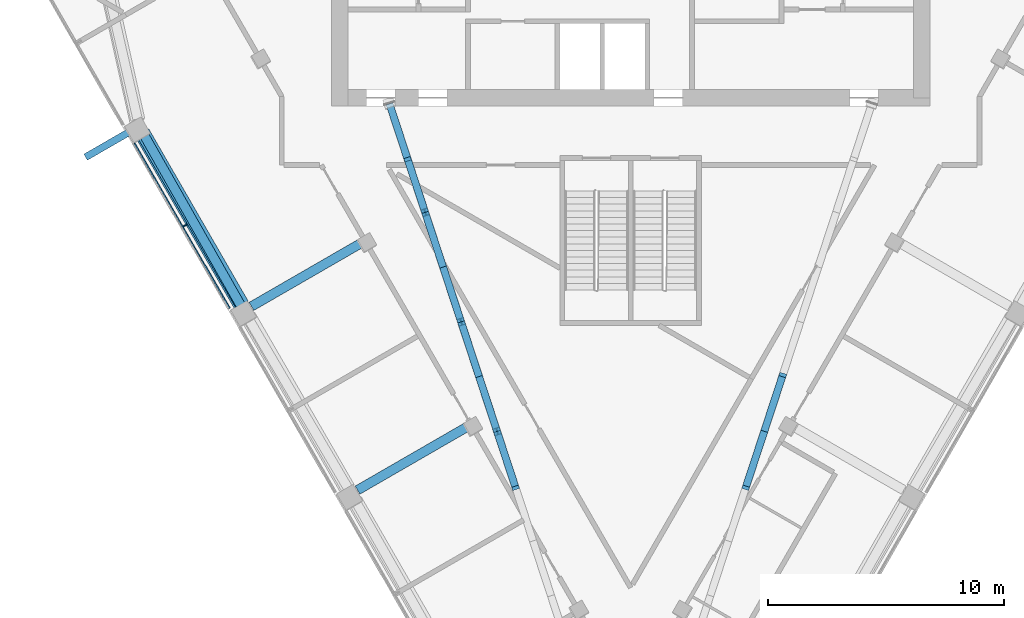
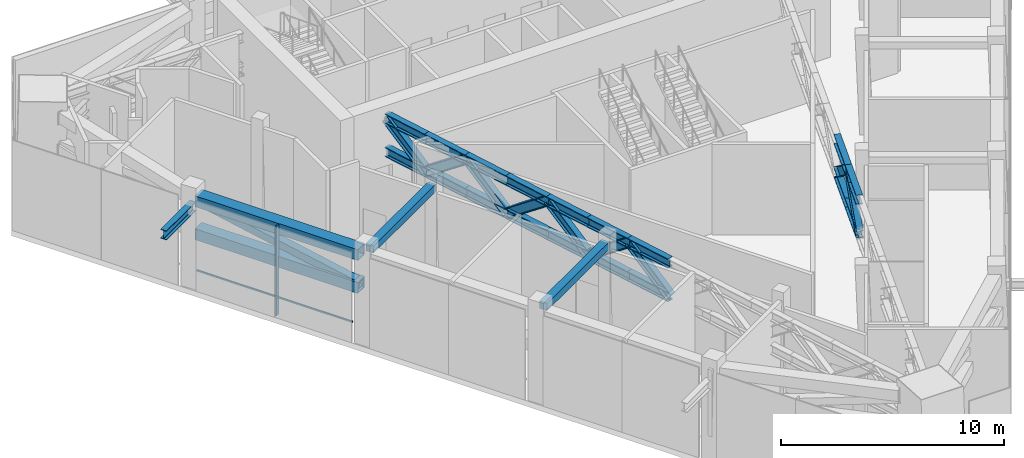
# One storey, part 3 of 14: 33 members, 2 beams, 1 element without a shape of its own.
"""IFC4 building model written with IfcOpenShell, lengths in metres."""

from ifc_helpers import new_model, si_unit, direction, frame, origin, origin_2d, place, context, subcontext, project, spatial, rectangle, hollow_rectangle, i_section, extrude, material, layer, layer_set, material_profile, profile_set, type_object, element, aggregate, save


model = new_model("IFC4")

# Units and contexts
model_context = context("Model", 3, precision=1e-05, world=origin(), true_north=direction((0.0, 1.0)))
body_context = subcontext(model_context, "Body", "Model", "MODEL_VIEW")
ifc_project = project(units=[si_unit("LENGTHUNIT", "METRE"), si_unit("AREAUNIT", "SQUARE_METRE"), si_unit("VOLUMEUNIT", "CUBIC_METRE"), si_unit("PLANEANGLEUNIT", "RADIAN"), si_unit("MASSUNIT", "GRAM", prefix="KILO")], contexts=[model_context])

# Site, building, storey
site_placement = place(None, origin())
site = spatial("IfcSite", under=ifc_project, at=site_placement, CompositionType="ELEMENT")
building_placement = place(site_placement, origin())
building = spatial("IfcBuilding", under=site, at=building_placement, Name="Altiplano Prism Tower", CompositionType="ELEMENT")
storey_placement = place(building_placement, frame((0.0, 0.0, 189.0)))
storey = spatial("IfcBuildingStorey", under=building, at=storey_placement, Name="L49", CompositionType="ELEMENT", Elevation=189.0)

# Members
ifc_material_1 = material(Name="Steel S355", Category="steel")
ifc_material_profile_1 = material_profile(ifc_material_1, hollow_rectangle(XDim=0.60009765625, YDim=0.60009765625, WallThickness=0.030029296875, at=origin_2d()), Name="Belt chord Box 600x600x30")
ifc_profile_set_1 = profile_set([ifc_material_profile_1], Name="Steel S355")
member_type_1 = type_object("IfcMemberType", Name="Belt chord Box 600x600x30", PredefinedType="CHORD", material=ifc_profile_set_1)
for number, where, z_axis, x_axis, name in (
    (1, (64.257080078125, 91.52001953125, 2.89990234375), (0.499993714791, -0.866029032521, 0.0), (0.866029032521, 0.499993714791, 0.0), "Belt truss R2 chord b6"),
    (2, (64.296142578125, 91.58740234375, 4.64990234375), (0.499993714791, -0.866029032521, 0.0), (0.866029032521, 0.499993714791, 0.0), "Belt truss R2 chord t6"),
):
    element("IfcMember", number, at=place(storey_placement, frame(where, z_axis=z_axis, x_axis=x_axis)), inside=storey, type_object=member_type_1, Name=name, PredefinedType="CHORD", context=body_context, shape_type="SweptSolid", body=[
        extrude(hollow_rectangle(XDim=0.60009765625, YDim=0.60009765625, WallThickness=0.030029296875, at=origin_2d()), origin(), (0.0, 0.0, 1.0), 8.43994140625),
    ])
ifc_material_profile_2 = material_profile(ifc_material_1, hollow_rectangle(XDim=0.39990234375, YDim=0.39990234375, WallThickness=0.02001953125, at=origin_2d()), Name="Belt diagonal Box 400x400x20")
ifc_profile_set_2 = profile_set([ifc_material_profile_2], Name="Steel S355")
member_type_2 = type_object("IfcMemberType", Name="Belt diagonal Box 400x400x20", PredefinedType="BRACE", material=ifc_profile_set_2)
member_1_placement = place(storey_placement, frame((64.294189453125, 91.58642578125, 4.595703125), z_axis=(0.484543905477, -0.853866939434, -0.190074862635), x_axis=(0.869722325715, 0.493541362149, 0.0)))
element("IfcMember", 3, at=member_1_placement, inside=storey, type_object=member_type_2, Name="Belt truss R2 diagonal 6", PredefinedType="BRACE", context=body_context, shape_type="SweptSolid", body=[
    extrude(hollow_rectangle(XDim=0.39990234375, YDim=0.39990234375, WallThickness=0.02001953125, at=origin_2d()), origin(), (0.0, 0.0, 1.0), 8.63671875),
])
ifc_material_profile_3 = material_profile(ifc_material_1, i_section(OverallWidth=0.300048828125, OverallDepth=0.5, WebThickness=0.014404296875, FlangeThickness=0.028076171875, FilletRadius=0.027099609375, at=origin_2d()), Name="Brace bracket HEB 500")
ifc_profile_set_3 = profile_set([ifc_material_profile_3], Name="Steel S355")
member_type_3 = type_object("IfcMemberType", Name="Brace bracket HEB 500", PredefinedType="STRUT", material=ifc_profile_set_3)
member_2_placement = place(storey_placement, frame((64.172607421875, 91.858642578125, 4.125732421875), z_axis=(-0.866029095148, -0.499993606316, 0.0), x_axis=(0.499993606316, -0.866029095148, 0.0)))
element("IfcMember", 4, at=member_2_placement, inside=storey, type_object=member_type_3, Name="Brace bracket 1.194.4", PredefinedType="STRUT", context=body_context, shape_type="SweptSolid", body=[
    extrude(i_section(OverallWidth=0.300048828125, OverallDepth=0.5, WebThickness=0.014404296875, FlangeThickness=0.028076171875, FilletRadius=0.027099609375, at=origin_2d()), origin(), (0.0, 0.0, 1.0), 2.64990234375),
])

# Curtain wall, members
ifc_material_2 = material(Name="Aluminium and glass", Category="aluminium")
ifc_layer = layer(ifc_material_2, 0.320068359375)
ifc_layer_set = layer_set([ifc_layer], Name="Aluminium and glass")
curtain_wall_type = type_object("IfcCurtainWallType", Name="CW6 louvred plant-floor curtain wall", PredefinedType="NOTDEFINED", material=ifc_layer_set)
curtain_wall_placement = place(storey_placement, origin())
curtain_wall = element("IfcCurtainWall", 5, at=curtain_wall_placement, inside=storey, type_object=curtain_wall_type, Name="CW6 curtain wall south-west face L49", PredefinedType="NOTDEFINED")
ifc_material_3 = material(Name="Aluminium", Category="aluminium")
ifc_material_profile_4 = material_profile(ifc_material_3, rectangle(XDim=0.199951171875, YDim=0.06005859375, at=origin_2d()), Name="CW6 mullion 60 x 200")
ifc_profile_set_4 = profile_set([ifc_material_profile_4], Name="Aluminium")
member_type_4 = type_object("IfcMemberType", Name="CW6 mullion 60 x 200", PredefinedType="MULLION", material=ifc_profile_set_4)
member_3_placement = place(storey_placement, frame((66.103515625, 87.638916015625, 0.0), z_axis=(0.0, 0.0, 1.0), x_axis=(0.866025397379, 0.500000011094, 0.0)))
member_3 = element("IfcMember", 6, at=member_3_placement, type_object=member_type_4, Name="CW6 mullion", PredefinedType="MULLION", context=body_context, shape_type="SweptSolid", body=[
    extrude(rectangle(XDim=0.199951171875, YDim=0.06005859375, at=origin_2d()), origin(), (0.0, 0.0, 1.0), 4.949951171875),
])
ifc_material_profile_5 = material_profile(ifc_material_3, rectangle(XDim=0.06005859375, YDim=0.080078125, at=origin_2d()), Name="CW6 transom 80 x 60")
ifc_profile_set_5 = profile_set([ifc_material_profile_5], Name="Aluminium")
member_type_5 = type_object("IfcMemberType", Name="CW6 transom 80 x 60", PredefinedType="USERDEFINED", material=ifc_profile_set_5)
member_4_placement = place(storey_placement, frame((63.94091796875, 91.12451171875, 1.10009765625), z_axis=(0.499999695987, -0.866025579307, 0.0), x_axis=(0.866025579307, 0.499999695987, 0.0)))
member_4 = element("IfcMember", 7, at=member_4_placement, type_object=member_type_5, Name="CW6 transom", ObjectType="TRANSOM", PredefinedType="USERDEFINED", context=body_context, shape_type="SweptSolid", body=[
    extrude(rectangle(XDim=0.06005859375, YDim=0.080078125, at=origin_2d()), origin(), (0.0, 0.0, 1.0), 8.080078125),
])
aggregate(curtain_wall, [member_3, member_4])

# Members
ifc_material_profile_6 = material_profile(ifc_material_1, i_section(OverallWidth=0.305908203125, OverallDepth=0.52392578125, WebThickness=0.02099609375, FlangeThickness=0.0400390625, FilletRadius=0.027099609375, at=origin_2d()), Name="Outrigger chord HEM 500")
ifc_profile_set_6 = profile_set([ifc_material_profile_6], Name="Steel S355")
member_type_6 = type_object("IfcMemberType", Name="Outrigger chord HEM 500", PredefinedType="CHORD", material=ifc_profile_set_6)
for number, where, z_axis, x_axis, name in (
    (8, (80.09619140625, 76.57763671875, 2.862060546875), (-0.312032305588, 0.950071492189, 0.0), (-0.950071492189, -0.312032305588, 0.0), "Outrigger truss R2 3 chord b7"),
    (9, (80.09619140625, 76.57763671875, 4.68798828125), (-0.312032305588, 0.950071492189, 0.0), (-0.950071492189, -0.312032305588, 0.0), "Outrigger truss R2 3 chord t7"),
    (10, (79.3330078125, 78.9013671875, 2.862060546875), (-0.312152001858, 0.950032171948, 0.0), (-0.950032171948, -0.312152001858, 0.0), "Outrigger truss R2 3 chord b8"),
    (11, (79.3330078125, 78.9013671875, 4.68798828125), (-0.312152001858, 0.950032171948, 0.0), (-0.950032171948, -0.312152001858, 0.0), "Outrigger truss R2 3 chord t8"),
):
    element("IfcMember", number, at=place(storey_placement, frame(where, z_axis=z_axis, x_axis=x_axis)), inside=storey, type_object=member_type_6, Name=name, PredefinedType="CHORD", context=body_context, shape_type="SweptSolid", body=[
        extrude(i_section(OverallWidth=0.305908203125, OverallDepth=0.52392578125, WebThickness=0.02099609375, FlangeThickness=0.0400390625, FilletRadius=0.027099609375, at=origin_2d()), origin(), (0.0, 0.0, 1.0), 2.44580078125),
    ])
for number, where, z_axis, x_axis, name in (
    (12, (78.569580078125, 81.224853515625, 2.862060546875), (-0.312061899705, 0.950061772072, 0.0), (-0.950061772072, -0.312061899705, 0.0), "Outrigger truss R2 3 chord b9"),
    (13, (78.569580078125, 81.224853515625, 4.68798828125), (-0.312061899705, 0.950061772072, 0.0), (-0.950061772072, -0.312061899705, 0.0), "Outrigger truss R2 3 chord t9"),
):
    element("IfcMember", number, at=place(storey_placement, frame(where, z_axis=z_axis, x_axis=x_axis)), inside=storey, type_object=member_type_6, Name=name, PredefinedType="CHORD", context=body_context, shape_type="SweptSolid", body=[
        extrude(i_section(OverallWidth=0.305908203125, OverallDepth=0.52392578125, WebThickness=0.02099609375, FlangeThickness=0.0400390625, FilletRadius=0.027099609375, at=origin_2d()), origin(), (0.0, 0.0, 1.0), 2.445556640625),
    ])
for number, where, z_axis, x_axis, name in (
    (14, (77.806396484375, 83.54833984375, 2.862060546875), (-0.312152001858, 0.950032171948, 0.0), (-0.950032171948, -0.312152001858, 0.0), "Outrigger truss R2 3 chord b10"),
    (15, (77.806396484375, 83.54833984375, 4.68798828125), (-0.312152001858, 0.950032171948, 0.0), (-0.950032171948, -0.312152001858, 0.0), "Outrigger truss R2 3 chord t10"),
):
    element("IfcMember", number, at=place(storey_placement, frame(where, z_axis=z_axis, x_axis=x_axis)), inside=storey, type_object=member_type_6, Name=name, PredefinedType="CHORD", context=body_context, shape_type="SweptSolid", body=[
        extrude(i_section(OverallWidth=0.305908203125, OverallDepth=0.52392578125, WebThickness=0.02099609375, FlangeThickness=0.0400390625, FilletRadius=0.027099609375, at=origin_2d()), origin(), (0.0, 0.0, 1.0), 2.44580078125),
    ])
for number, where, z_axis, x_axis, name in (
    (16, (77.04296875, 85.871826171875, 2.862060546875), (-0.312061899705, 0.950061772072, 0.0), (-0.950061772072, -0.312061899705, 0.0), "Outrigger truss R2 3 chord b11"),
    (17, (77.04296875, 85.871826171875, 4.68798828125), (-0.312061899705, 0.950061772072, 0.0), (-0.950061772072, -0.312061899705, 0.0), "Outrigger truss R2 3 chord t11"),
):
    element("IfcMember", number, at=place(storey_placement, frame(where, z_axis=z_axis, x_axis=x_axis)), inside=storey, type_object=member_type_6, Name=name, PredefinedType="CHORD", context=body_context, shape_type="SweptSolid", body=[
        extrude(i_section(OverallWidth=0.305908203125, OverallDepth=0.52392578125, WebThickness=0.02099609375, FlangeThickness=0.0400390625, FilletRadius=0.027099609375, at=origin_2d()), origin(), (0.0, 0.0, 1.0), 2.445556640625),
    ])
for number, where, z_axis, x_axis, name in (
    (18, (76.27978515625, 88.1953125, 2.862060546875), (-0.312032305588, 0.950071492189, 0.0), (-0.950071492189, -0.312032305588, 0.0), "Outrigger truss R2 3 chord b12"),
    (19, (76.27978515625, 88.1953125, 4.68798828125), (-0.312032305588, 0.950071492189, 0.0), (-0.950071492189, -0.312032305588, 0.0), "Outrigger truss R2 3 chord t12"),
):
    element("IfcMember", number, at=place(storey_placement, frame(where, z_axis=z_axis, x_axis=x_axis)), inside=storey, type_object=member_type_6, Name=name, PredefinedType="CHORD", context=body_context, shape_type="SweptSolid", body=[
        extrude(i_section(OverallWidth=0.305908203125, OverallDepth=0.52392578125, WebThickness=0.02099609375, FlangeThickness=0.0400390625, FilletRadius=0.027099609375, at=origin_2d()), origin(), (0.0, 0.0, 1.0), 2.44580078125),
    ])
for number, where, z_axis, x_axis, name in (
    (20, (75.5166015625, 90.51904296875, 2.862060546875), (-0.312175534256, 0.950024439587, 0.0), (-0.950024439587, -0.312175534256, 0.0), "Outrigger truss R2 3 chord b13"),
    (21, (75.5166015625, 90.51904296875, 4.68798828125), (-0.312175534256, 0.950024439587, 0.0), (-0.950024439587, -0.312175534256, 0.0), "Outrigger truss R2 3 chord t13"),
):
    element("IfcMember", number, at=place(storey_placement, frame(where, z_axis=z_axis, x_axis=x_axis)), inside=storey, type_object=member_type_6, Name=name, PredefinedType="CHORD", context=body_context, shape_type="SweptSolid", body=[
        extrude(i_section(OverallWidth=0.305908203125, OverallDepth=0.52392578125, WebThickness=0.02099609375, FlangeThickness=0.0400390625, FilletRadius=0.027099609375, at=origin_2d()), origin(), (0.0, 0.0, 1.0), 2.405517578125),
    ])
for number, where, z_axis, x_axis, name in (
    (22, (89.90380859375, 76.57763671875, 2.862060546875), (0.312032305588, 0.950071492189, 0.0), (-0.950071492189, 0.312032305588, 0.0), "Outrigger truss R2 4 chord b7"),
    (23, (89.90380859375, 76.57763671875, 4.68798828125), (0.312032305588, 0.950071492189, 0.0), (-0.950071492189, 0.312032305588, 0.0), "Outrigger truss R2 4 chord t7"),
    (24, (90.6669921875, 78.9013671875, 2.862060546875), (0.312152001858, 0.950032171948, 0.0), (-0.950032171948, 0.312152001858, 0.0), "Outrigger truss R2 4 chord b8"),
    (25, (90.6669921875, 78.9013671875, 4.68798828125), (0.312152001858, 0.950032171948, 0.0), (-0.950032171948, 0.312152001858, 0.0), "Outrigger truss R2 4 chord t8"),
):
    element("IfcMember", number, at=place(storey_placement, frame(where, z_axis=z_axis, x_axis=x_axis)), inside=storey, type_object=member_type_6, Name=name, PredefinedType="CHORD", context=body_context, shape_type="SweptSolid", body=[
        extrude(i_section(OverallWidth=0.305908203125, OverallDepth=0.52392578125, WebThickness=0.02099609375, FlangeThickness=0.0400390625, FilletRadius=0.027099609375, at=origin_2d()), origin(), (0.0, 0.0, 1.0), 2.44580078125),
    ])
ifc_material_profile_7 = material_profile(ifc_material_1, i_section(OverallWidth=0.300048828125, OverallDepth=0.5, WebThickness=0.014404296875, FlangeThickness=0.028076171875, FilletRadius=0.027099609375, at=origin_2d()), Name="Outrigger diagonal HEB 500")
ifc_profile_set_7 = profile_set([ifc_material_profile_7], Name="Steel S355")
member_type_7 = type_object("IfcMemberType", Name="Outrigger diagonal HEB 500", PredefinedType="BRACE", material=ifc_profile_set_7)
member_5_placement = place(storey_placement, frame((80.09619140625, 76.57763671875, 2.862060546875), z_axis=(-0.250040283955, 0.761319073156, 0.598224978791), x_axis=(-0.950071492189, -0.312032305588, 0.0)))
element("IfcMember", 26, at=member_5_placement, inside=storey, type_object=member_type_7, Name="Outrigger truss R2 3 diagonal 7", PredefinedType="BRACE", context=body_context, shape_type="SweptSolid", body=[
    extrude(i_section(OverallWidth=0.300048828125, OverallDepth=0.5, WebThickness=0.014404296875, FlangeThickness=0.028076171875, FilletRadius=0.027099609375, at=origin_2d()), origin(), (0.0, 0.0, 1.0), 3.05224609375),
])
for number, where, z_axis, x_axis, name in (
    (27, (79.3330078125, 78.9013671875, 4.68798828125), (-0.250130499147, 0.761270214386, -0.598249441357), (-0.950032171948, -0.312152001858, 0.0), "Outrigger truss R2 3 diagonal 8"),
    (28, (78.569580078125, 81.224853515625, 2.862060546875), (-0.250055510962, 0.761285443963, 0.598261409625), (-0.950061772072, -0.312061899705, 0.0), "Outrigger truss R2 3 diagonal 9"),
    (29, (77.806396484375, 83.54833984375, 4.68798828125), (-0.250130499147, 0.761270214386, -0.598249441357), (-0.950032171948, -0.312152001858, 0.0), "Outrigger truss R2 3 diagonal 10"),
    (30, (77.04296875, 85.871826171875, 2.862060546875), (-0.250055510962, 0.761285443963, 0.598261409625), (-0.950061772072, -0.312061899705, 0.0), "Outrigger truss R2 3 diagonal 11"),
):
    element("IfcMember", number, at=place(storey_placement, frame(where, z_axis=z_axis, x_axis=x_axis)), inside=storey, type_object=member_type_7, Name=name, PredefinedType="BRACE", context=body_context, shape_type="SweptSolid", body=[
        extrude(i_section(OverallWidth=0.300048828125, OverallDepth=0.5, WebThickness=0.014404296875, FlangeThickness=0.028076171875, FilletRadius=0.027099609375, at=origin_2d()), origin(), (0.0, 0.0, 1.0), 3.052001953125),
    ])
member_6_placement = place(storey_placement, frame((76.27978515625, 88.1953125, 4.68798828125), z_axis=(-0.250040283955, 0.761319073156, -0.598224978791), x_axis=(-0.950071492189, -0.312032305588, 0.0)))
element("IfcMember", 31, at=member_6_placement, inside=storey, type_object=member_type_7, Name="Outrigger truss R2 3 diagonal 12", PredefinedType="BRACE", context=body_context, shape_type="SweptSolid", body=[
    extrude(i_section(OverallWidth=0.300048828125, OverallDepth=0.5, WebThickness=0.014404296875, FlangeThickness=0.028076171875, FilletRadius=0.027099609375, at=origin_2d()), origin(), (0.0, 0.0, 1.0), 3.05224609375),
])
member_7_placement = place(storey_placement, frame((75.5166015625, 90.51904296875, 2.862060546875), z_axis=(-0.250133096949, 0.761260546514, 0.598260657349), x_axis=(-0.950030034882, -0.312158505925, 0.0)))
element("IfcMember", 32, at=member_7_placement, inside=storey, type_object=member_type_7, Name="Outrigger truss R2 3 diagonal 13", PredefinedType="BRACE", context=body_context, shape_type="SweptSolid", body=[
    extrude(i_section(OverallWidth=0.300048828125, OverallDepth=0.5, WebThickness=0.014404296875, FlangeThickness=0.028076171875, FilletRadius=0.027099609375, at=origin_2d()), origin(), (0.0, 0.0, 1.0), 3.011962890625),
])
member_8_placement = place(storey_placement, frame((89.90380859375, 76.57763671875, 2.862060546875), z_axis=(0.250040283955, 0.761319073156, 0.598224978791), x_axis=(-0.950071492189, 0.312032305588, 0.0)))
element("IfcMember", 33, at=member_8_placement, inside=storey, type_object=member_type_7, Name="Outrigger truss R2 4 diagonal 7", PredefinedType="BRACE", context=body_context, shape_type="SweptSolid", body=[
    extrude(i_section(OverallWidth=0.300048828125, OverallDepth=0.5, WebThickness=0.014404296875, FlangeThickness=0.028076171875, FilletRadius=0.027099609375, at=origin_2d()), origin(), (0.0, 0.0, 1.0), 3.05224609375),
])
member_9_placement = place(storey_placement, frame((90.6669921875, 78.9013671875, 4.68798828125), z_axis=(0.250130499147, 0.761270214386, -0.598249441357), x_axis=(-0.950032171948, 0.312152001858, 0.0)))
element("IfcMember", 34, at=member_9_placement, inside=storey, type_object=member_type_7, Name="Outrigger truss R2 4 diagonal 8", PredefinedType="BRACE", context=body_context, shape_type="SweptSolid", body=[
    extrude(i_section(OverallWidth=0.300048828125, OverallDepth=0.5, WebThickness=0.014404296875, FlangeThickness=0.028076171875, FilletRadius=0.027099609375, at=origin_2d()), origin(), (0.0, 0.0, 1.0), 3.052001953125),
])

# Beams
ifc_material_4 = material(Name="Concrete C60/75", Category="concrete")
ifc_material_profile_8 = material_profile(ifc_material_4, rectangle(XDim=0.39990234375, YDim=0.39990234375, at=origin_2d()), Name="Tie beam 400x400")
ifc_profile_set_8 = profile_set([ifc_material_profile_8], Name="Concrete C60/75")
beam_type = type_object("IfcBeamType", Name="Tie beam 400x400", PredefinedType="BEAM", material=ifc_profile_set_8)
for number, where, z_axis, x_axis, name in (
    (35, (73.75634765625, 86.99951171875, 4.75), (-0.866030670444, -0.499990877767, 0.0), (0.499990877767, -0.866030670444, 0.0), "Tie beam I12 L50"),
    (36, (78.25634765625, 79.205322265625, 4.75), (-0.866030670444, -0.499990877767, 0.0), (0.499990877767, -0.866030670444, 0.0), "Tie beam I13 L50"),
):
    element("IfcBeam", number, at=place(storey_placement, frame(where, z_axis=z_axis, x_axis=x_axis)), inside=storey, type_object=beam_type, Name=name, PredefinedType="BEAM", context=body_context, shape_type="SweptSolid", body=[
        extrude(rectangle(XDim=0.39990234375, YDim=0.39990234375, at=origin_2d()), origin(), (0.0, 0.0, 1.0), 5.58984375),
    ])

save(model, "model.ifc")
